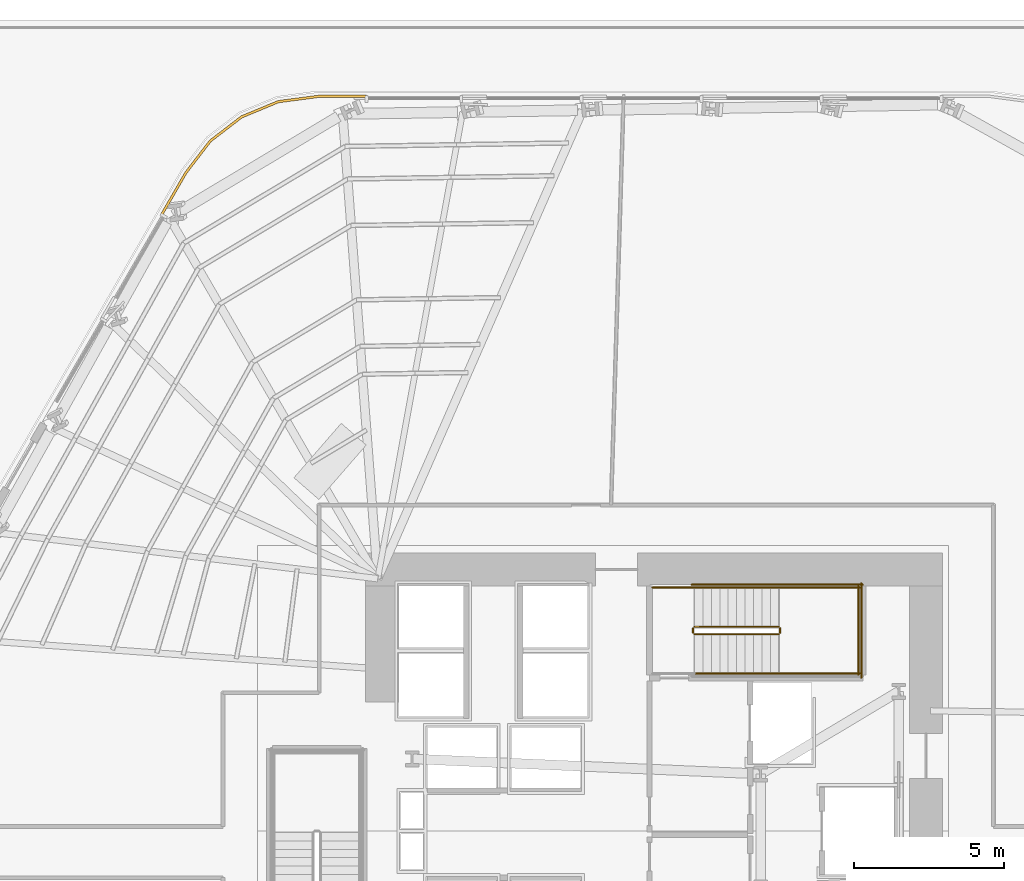
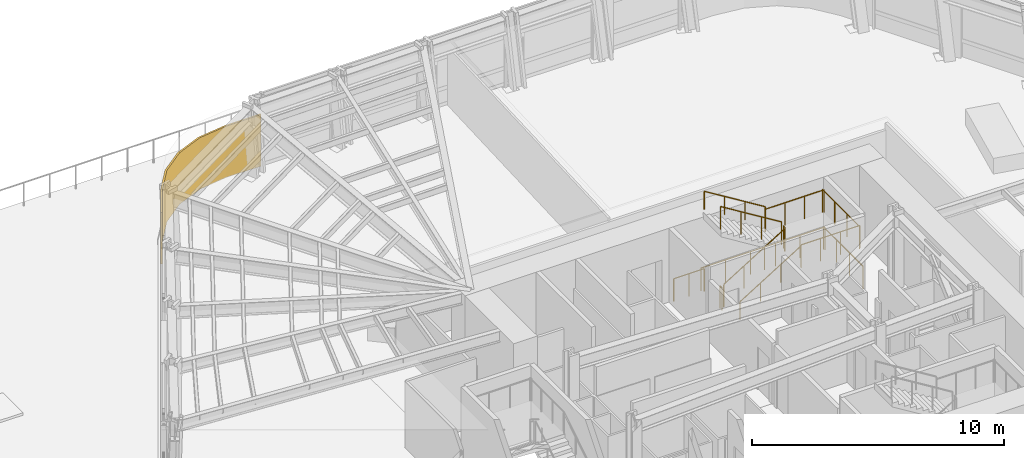
# One storey, part 15 of 18: 12 railings, 1 covering.
"""IFC4 building model written with IfcOpenShell, lengths in metres."""

from ifc_helpers import new_model, si_unit, direction, frame, origin, origin_2d, place, context, subcontext, project, spatial, polyline, circle, outline, extrude, material, layer, layer_set, type_object, element, save


model = new_model("IFC4")

# Units and contexts
model_context = context("Model", 3, precision=1e-05, world=origin(), true_north=direction((0.0, 1.0)))
body_context = subcontext(model_context, "Body", "Model", "MODEL_VIEW")
ifc_project = project(units=[si_unit("LENGTHUNIT", "METRE"), si_unit("AREAUNIT", "SQUARE_METRE"), si_unit("VOLUMEUNIT", "CUBIC_METRE"), si_unit("PLANEANGLEUNIT", "RADIAN"), si_unit("MASSUNIT", "GRAM", prefix="KILO")], contexts=[model_context])

# Site, building, storey
site_placement = place(None, origin())
site = spatial("IfcSite", under=ifc_project, at=site_placement, CompositionType="ELEMENT")
building_placement = place(site_placement, origin())
building = spatial("IfcBuilding", under=site, at=building_placement, Name="Valkerne Bourse Tower", CompositionType="ELEMENT")
storey_placement = place(building_placement, frame((0.0, 0.0, 24.0)))
storey = spatial("IfcBuildingStorey", under=building, at=storey_placement, Name="L05", CompositionType="ELEMENT", Elevation=24.0)

# Covering
ifc_material_1 = material(Name="Bronze Anodised Aluminium AA 6063-T6", Category="aluminium")
ifc_layer = layer(ifc_material_1, 0.06005859375)
ifc_layer_set = layer_set([ifc_layer], Name="Bronze Anodised Aluminium AA 6063-T6")
covering_type = type_object("IfcCoveringType", Name="COV-CRN-ALUM", PredefinedType="CLADDING", material=ifc_layer_set)
covering_placement = place(storey_placement, origin())
element("IfcCovering", 1, at=covering_placement, inside=storey, type_object=covering_type, Name="L05 Wind-Shaped Corner Aluminium Cladding 16", PredefinedType="CLADDING", context=body_context, shape_type="SweptSolid", body=[
    extrude(outline(polyline([(31.18212890625, 48.939453125), (31.99658203125, 50.000732421875), (33.052490234375, 50.81103515625), (34.282470703125, 51.320556640625), (35.60888671875, 51.4951171875), (37.22998046875, 51.4951171875), (37.22998046875, 51.4150390625), (35.614013671875, 51.4150390625), (34.303466796875, 51.242431640625), (33.093017578125, 50.7412109375), (32.0537109375, 49.943603515625), (31.248779296875, 48.89501953125), (30.44091796875, 47.49560546875), (30.37158203125, 47.535400390625), (31.18212890625, 48.939453125)])), origin(), (0.0, 0.0, 1.0), 2.5),
])

# Railings
ifc_material_2 = material(Name="Galvanised Painted Steel", Category="steel")
railing_type_1 = type_object("IfcRailingType", Name="RLG-ST-GUARD-1120", PredefinedType="GUARDRAIL", material=ifc_material_2)
railing_1_placement = place(storey_placement, frame((48.14990234375, 33.550048828125, 0.172607421875)))
element("IfcRailing", 2, at=railing_1_placement, inside=storey, type_object=railing_type_1, Name="L05 ST-2 stair guard 1", PredefinedType="GUARDRAIL", context=body_context, shape_type="SweptSolid", body=[
    extrude(circle(Radius=0.02392578125, at=origin_2d()), frame((0.0, 0.0, 1.09619140625), z_axis=(0.851089632645, 0.0, 0.525020415988), x_axis=(0.0, 1.0, 0.0)), (0.0, 0.0, 1.0), 3.2900390625),
    extrude(circle(Radius=0.02099609375, at=origin_2d()), origin(), (0.0, 0.0, 1.0), 1.072021484375),
    extrude(circle(Radius=0.02099609375, at=origin_2d()), frame((0.933349609375, 0.0, 0.57568359375)), (0.0, 0.0, 1.0), 1.072021484375),
    extrude(circle(Radius=0.02099609375, at=origin_2d()), frame((1.86669921875, 0.0, 1.151611328125)), (0.0, 0.0, 1.0), 1.072021484375),
    extrude(circle(Radius=0.02099609375, at=origin_2d()), frame((2.800048828125, 0.0, 1.727294921875)), (0.0, 0.0, 1.0), 1.072021484375),
])
railing_2_placement = place(storey_placement, frame((51.0, 33.60009765625, 1.89990234375)))
element("IfcRailing", 3, at=railing_2_placement, inside=storey, type_object=railing_type_1, Name="L05 ST-2 stair guard 2", PredefinedType="GUARDRAIL", context=body_context, shape_type="SweptSolid", body=[
    extrude(circle(Radius=0.02392578125, at=origin_2d()), frame((0.0, 0.0, 1.09619140625), z_axis=(0.0, 1.0, 0.0), x_axis=(-1.0, 0.0, 0.0)), (0.0, 0.0, 1.0), 0.14990234375),
    extrude(circle(Radius=0.02099609375, at=origin_2d()), origin(), (0.0, 0.0, 1.0), 1.072021484375),
    extrude(circle(Radius=0.02099609375, at=origin_2d()), frame((0.0, 0.14990234375, 0.0)), (0.0, 0.0, 1.0), 1.072021484375),
])
for number, where, name in (
    (4, (50.949951171875, 32.25, 1.89990234375), "L05 ST-2 stair guard 3"),
    (5, (50.949951171875, 35.10009765625, 1.89990234375), "L05 ST-2 stair guard 4"),
):
    element("IfcRailing", number, at=place(storey_placement, frame(where)), inside=storey, type_object=railing_type_1, Name=name, PredefinedType="GUARDRAIL", context=body_context, shape_type="SweptSolid", body=[
        extrude(circle(Radius=0.02392578125, at=origin_2d()), frame((0.0, 0.0, 1.09619140625), z_axis=(1.0, 0.0, 0.0), x_axis=(0.0, 1.0, 0.0)), (0.0, 0.0, 1.0), 2.699951171875),
        extrude(circle(Radius=0.02099609375, at=origin_2d()), origin(), (0.0, 0.0, 1.0), 1.072021484375),
        extrude(circle(Radius=0.02099609375, at=origin_2d()), frame((0.89990234375, 0.0, 0.0)), (0.0, 0.0, 1.0), 1.072021484375),
        extrude(circle(Radius=0.02099609375, at=origin_2d()), frame((1.800048828125, 0.0, 0.0)), (0.0, 0.0, 1.0), 1.072021484375),
        extrude(circle(Radius=0.02099609375, at=origin_2d()), frame((2.699951171875, 0.0, 0.0)), (0.0, 0.0, 1.0), 1.072021484375),
    ])
railing_3_placement = place(storey_placement, frame((53.60009765625, 32.199951171875, 1.89990234375)))
element("IfcRailing", 6, at=railing_3_placement, inside=storey, type_object=railing_type_1, Name="L05 ST-2 stair guard 5", PredefinedType="GUARDRAIL", context=body_context, shape_type="SweptSolid", body=[
    extrude(circle(Radius=0.02392578125, at=origin_2d()), frame((0.0, 0.0, 1.09619140625), z_axis=(0.0, 1.0, 0.0), x_axis=(-1.0, 0.0, 0.0)), (0.0, 0.0, 1.0), 2.949951171875),
    extrude(circle(Radius=0.02099609375, at=origin_2d()), origin(), (0.0, 0.0, 1.0), 1.072021484375),
    extrude(circle(Radius=0.02099609375, at=origin_2d()), frame((0.0, 0.9833984375, 0.0)), (0.0, 0.0, 1.0), 1.072021484375),
    extrude(circle(Radius=0.02099609375, at=origin_2d()), frame((0.0, 1.966552734375, 0.0)), (0.0, 0.0, 1.0), 1.072021484375),
    extrude(circle(Radius=0.02099609375, at=origin_2d()), frame((0.0, 2.949951171875, 0.0)), (0.0, 0.0, 1.0), 1.072021484375),
])
railing_4_placement = place(storey_placement, frame((50.949951171875, 33.800048828125, 2.07275390625)))
element("IfcRailing", 7, at=railing_4_placement, inside=storey, type_object=railing_type_1, Name="L05 ST-2 stair guard 6", PredefinedType="GUARDRAIL", context=body_context, shape_type="SweptSolid", body=[
    extrude(circle(Radius=0.02392578125, at=origin_2d()), frame((0.0, 0.0, 1.09619140625), z_axis=(-0.851089632645, 0.0, 0.525020415988), x_axis=(0.0, -1.0, 0.0)), (0.0, 0.0, 1.0), 3.2900390625),
    extrude(circle(Radius=0.02099609375, at=origin_2d()), origin(), (0.0, 0.0, 1.0), 1.072021484375),
    extrude(circle(Radius=0.02099609375, at=origin_2d()), frame((-0.933349609375, 0.0, 0.57568359375)), (0.0, 0.0, 1.0), 1.072021484375),
    extrude(circle(Radius=0.02099609375, at=origin_2d()), frame((-1.86669921875, 0.0, 1.151611328125)), (0.0, 0.0, 1.0), 1.072021484375),
    extrude(circle(Radius=0.02099609375, at=origin_2d()), frame((-2.800048828125, 0.0, 1.727294921875)), (0.0, 0.0, 1.0), 1.072021484375),
])
railing_5_placement = place(storey_placement, frame((48.10009765625, 33.60009765625, 0.0)))
element("IfcRailing", 8, at=railing_5_placement, inside=storey, type_object=railing_type_1, Name="L05 ST-2 stair guard 7", PredefinedType="GUARDRAIL", context=body_context, shape_type="SweptSolid", body=[
    extrude(circle(Radius=0.02392578125, at=origin_2d()), frame((0.0, 0.0, 1.09619140625), z_axis=(0.0, 1.0, 0.0), x_axis=(-1.0, 0.0, 0.0)), (0.0, 0.0, 1.0), 0.14990234375),
    extrude(circle(Radius=0.02099609375, at=origin_2d()), origin(), (0.0, 0.0, 1.0), 1.072021484375),
    extrude(circle(Radius=0.02099609375, at=origin_2d()), frame((0.0, 0.14990234375, 0.0)), (0.0, 0.0, 1.0), 1.072021484375),
])
railing_6_placement = place(storey_placement, frame((46.75, 35.10009765625, 0.0)))
element("IfcRailing", 9, at=railing_6_placement, inside=storey, type_object=railing_type_1, Name="L05 ST-2 stair guard 9", PredefinedType="GUARDRAIL", context=body_context, shape_type="SweptSolid", body=[
    extrude(circle(Radius=0.02392578125, at=origin_2d()), frame((0.0, 0.0, 1.09619140625), z_axis=(1.0, 0.0, 0.0), x_axis=(0.0, 1.0, 0.0)), (0.0, 0.0, 1.0), 1.39990234375),
    extrude(circle(Radius=0.02099609375, at=origin_2d()), origin(), (0.0, 0.0, 1.0), 1.072021484375),
    extrude(circle(Radius=0.02099609375, at=origin_2d()), frame((0.699951171875, 0.0, 0.0)), (0.0, 0.0, 1.0), 1.072021484375),
    extrude(circle(Radius=0.02099609375, at=origin_2d()), frame((1.39990234375, 0.0, 0.0)), (0.0, 0.0, 1.0), 1.072021484375),
])
railing_7_placement = place(storey_placement, frame((48.050048828125, 35.199951171875, 0.0)))
element("IfcRailing", 10, at=railing_7_placement, inside=storey, type_object=railing_type_1, Name="L05 ST-2 stair guard 11", PredefinedType="GUARDRAIL", context=body_context, shape_type="SweptSolid", body=[
    extrude(circle(Radius=0.02392578125, at=origin_2d()), frame((0.0, 0.0, 1.09619140625), z_axis=(1.0, 0.0, 0.0), x_axis=(0.0, 1.0, 0.0)), (0.0, 0.0, 1.0), 5.699951171875),
    extrude(circle(Radius=0.02099609375, at=origin_2d()), origin(), (0.0, 0.0, 1.0), 1.072021484375),
    extrude(circle(Radius=0.02099609375, at=origin_2d()), frame((1.139892578125, 0.0, 0.0)), (0.0, 0.0, 1.0), 1.072021484375),
    extrude(circle(Radius=0.02099609375, at=origin_2d()), frame((2.280029296875, 0.0, 0.0)), (0.0, 0.0, 1.0), 1.072021484375),
    extrude(circle(Radius=0.02099609375, at=origin_2d()), frame((3.419921875, 0.0, 0.0)), (0.0, 0.0, 1.0), 1.072021484375),
    extrude(circle(Radius=0.02099609375, at=origin_2d()), frame((4.56005859375, 0.0, 0.0)), (0.0, 0.0, 1.0), 1.072021484375),
    extrude(circle(Radius=0.02099609375, at=origin_2d()), frame((5.699951171875, 0.0, 0.0)), (0.0, 0.0, 1.0), 1.072021484375),
])
railing_8_placement = place(storey_placement, frame((53.699951171875, 32.10009765625, 0.0)))
element("IfcRailing", 11, at=railing_8_placement, inside=storey, type_object=railing_type_1, Name="L05 ST-2 stair guard 12", PredefinedType="GUARDRAIL", context=body_context, shape_type="SweptSolid", body=[
    extrude(circle(Radius=0.02392578125, at=origin_2d()), frame((0.0, 0.0, 1.09619140625), z_axis=(0.0, 1.0, 0.0), x_axis=(-1.0, 0.0, 0.0)), (0.0, 0.0, 1.0), 3.14990234375),
    extrude(circle(Radius=0.02099609375, at=origin_2d()), origin(), (0.0, 0.0, 1.0), 1.072021484375),
    extrude(circle(Radius=0.02099609375, at=origin_2d()), frame((0.0, 1.050048828125, 0.0)), (0.0, 0.0, 1.0), 1.072021484375),
    extrude(circle(Radius=0.02099609375, at=origin_2d()), frame((0.0, 2.099853515625, 0.0)), (0.0, 0.0, 1.0), 1.072021484375),
    extrude(circle(Radius=0.02099609375, at=origin_2d()), frame((0.0, 3.14990234375, 0.0)), (0.0, 0.0, 1.0), 1.072021484375),
])
ifc_material_3 = material(Name="Stainless Steel AISI 316", Category="steel")
railing_type_2 = type_object("IfcRailingType", Name="RLG-ST-HANDRAIL-900", PredefinedType="HANDRAIL", material=ifc_material_3)
railing_9_placement = place(storey_placement, frame((48.14990234375, 32.25, 0.345458984375)))
element("IfcRailing", 12, at=railing_9_placement, inside=storey, type_object=railing_type_2, Name="L05 ST-2 stair handrail 1", PredefinedType="HANDRAIL", context=body_context, shape_type="SweptSolid", body=[
    extrude(circle(Radius=0.02392578125, at=origin_2d()), frame((0.0, 0.0, 0.8759765625), z_axis=(0.851089632645, 0.0, 0.525020415988), x_axis=(0.0, 1.0, 0.0)), (0.0, 0.0, 1.0), 3.2900390625),
    extrude(circle(Radius=0.02099609375, at=origin_2d()), origin(), (0.0, 0.0, 1.0), 0.851806640625),
    extrude(circle(Radius=0.02099609375, at=origin_2d()), frame((0.933349609375, 0.0, 0.57568359375)), (0.0, 0.0, 1.0), 0.851806640625),
    extrude(circle(Radius=0.02099609375, at=origin_2d()), frame((1.86669921875, 0.0, 1.151611328125)), (0.0, 0.0, 1.0), 0.851806640625),
    extrude(circle(Radius=0.02099609375, at=origin_2d()), frame((2.800048828125, 0.0, 1.727294921875)), (0.0, 0.0, 1.0), 0.851806640625),
])
railing_10_placement = place(storey_placement, frame((50.949951171875, 35.10009765625, 2.245361328125)))
element("IfcRailing", 13, at=railing_10_placement, inside=storey, type_object=railing_type_2, Name="L05 ST-2 stair handrail 2", PredefinedType="HANDRAIL", context=body_context, shape_type="SweptSolid", body=[
    extrude(circle(Radius=0.02392578125, at=origin_2d()), frame((0.0, 0.0, 0.8759765625), z_axis=(-0.851089632645, 0.0, 0.525020415988), x_axis=(0.0, -1.0, 0.0)), (0.0, 0.0, 1.0), 3.2900390625),
    extrude(circle(Radius=0.02099609375, at=origin_2d()), origin(), (0.0, 0.0, 1.0), 0.851806640625),
    extrude(circle(Radius=0.02099609375, at=origin_2d()), frame((-0.933349609375, 0.0, 0.57568359375)), (0.0, 0.0, 1.0), 0.851806640625),
    extrude(circle(Radius=0.02099609375, at=origin_2d()), frame((-1.86669921875, 0.0, 1.151611328125)), (0.0, 0.0, 1.0), 0.851806640625),
    extrude(circle(Radius=0.02099609375, at=origin_2d()), frame((-2.800048828125, 0.0, 1.727294921875)), (0.0, 0.0, 1.0), 0.851806640625),
])

save(model, "model.ifc")
